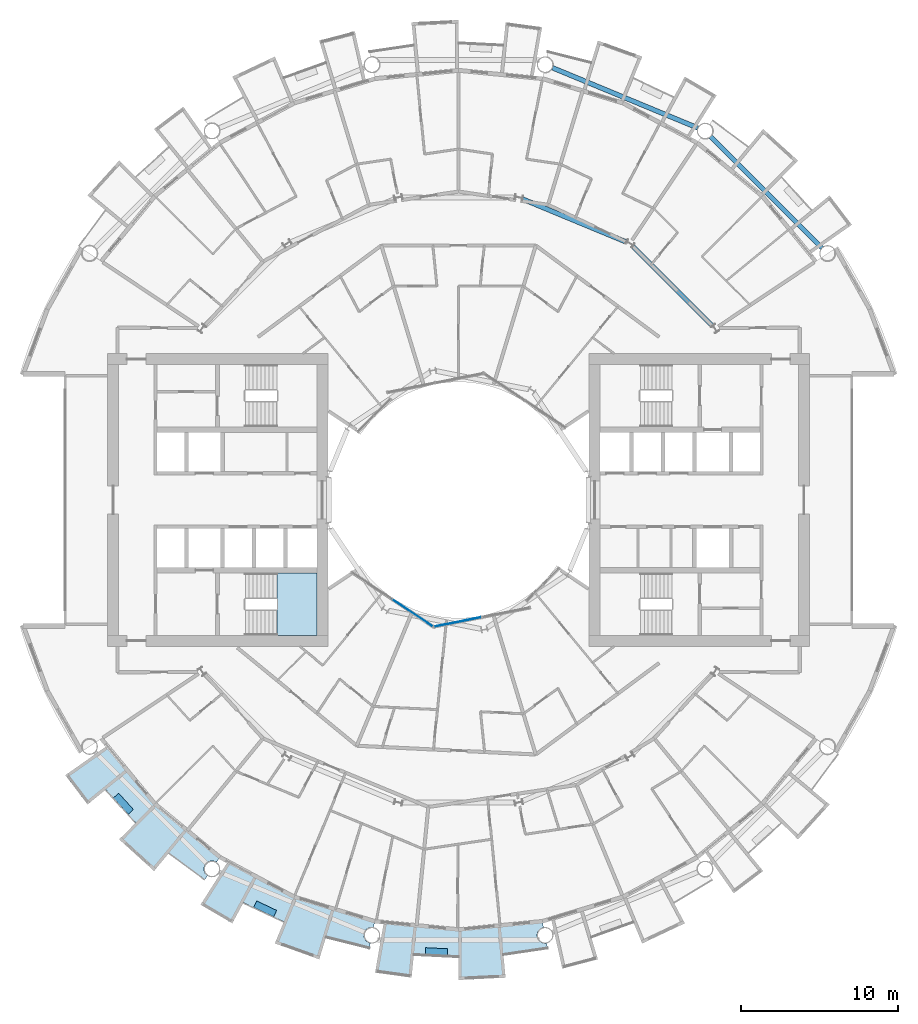
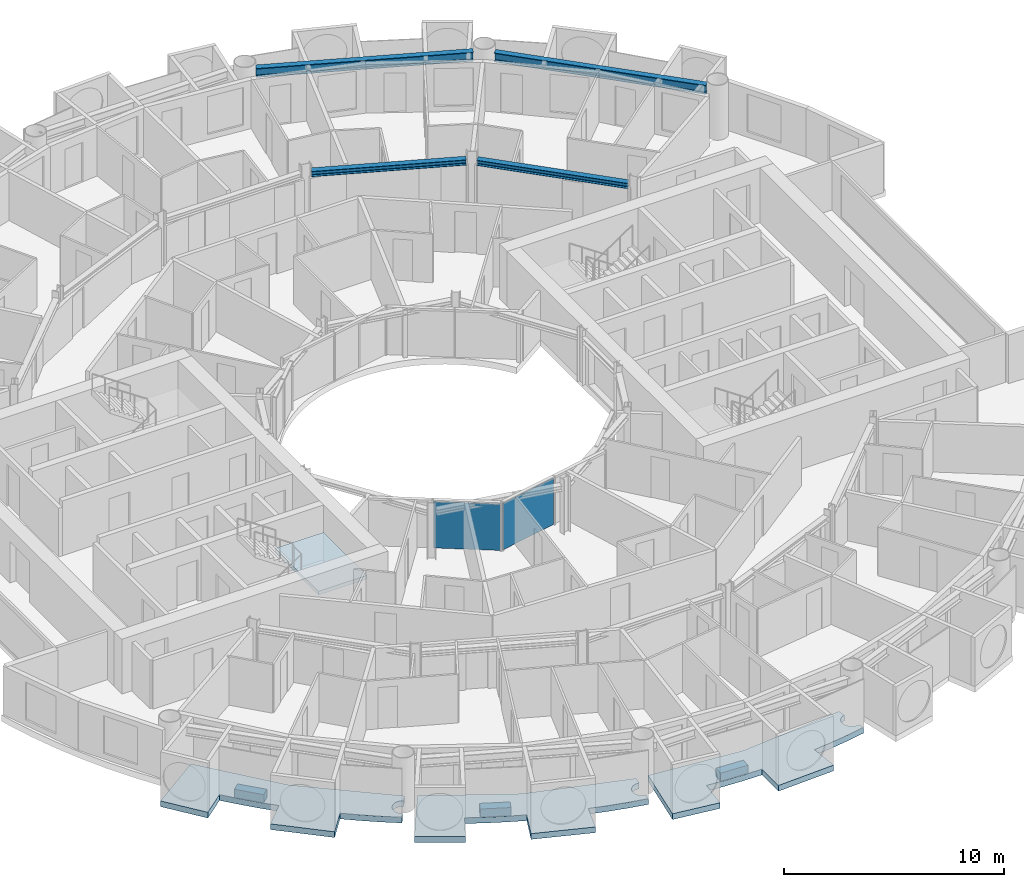
# One storey, part 9 of 26: 7 slabs, 4 beams, 2 plates, 3 elements without a shape of their own.
"""IFC4 building model written with IfcOpenShell, lengths in metres."""

import ifcopenshell
import ifcopenshell.guid

model = None  # the IFC model being written
_history = None  # IfcOwnerHistory: only IFC2X3 demands one
_inside = {}  # id of a spatial element -> (the spatial element, [elements in it])
_under = {}  # id of a project, library or spatial element -> (it, [spatial elements below it])
_declared = {}  # id of a project -> (the project, [libraries it declares])
_typed = {}  # id of a type object -> (the type object, [elements of that type])
_made_of = {}  # id of a material, layer set ... -> (it, [elements and type objects made of it])


def new_model(schema):
    """Start an empty IFC model of exactly this schema.

    Asked for "IFC4X3", IfcOpenShell would pick the latest addendum, in which some entities
    have other attributes; the version numbers below select the first issue.
    IFC2X3 requires an IfcOwnerHistory on every rooted entity: one is made here for all.
    """
    global model, _history
    if schema == "IFC4X3":
        model = ifcopenshell.file(schema_version=(4, 3, 0, 0))
    else:
        model = ifcopenshell.file(schema=schema)
    _inside.clear()
    _under.clear()
    _declared.clear()
    _typed.clear()
    _made_of.clear()
    _history = None
    if model.schema == "IFC2X3":
        org = make("IfcOrganization", Name="unknown")
        user = make(
            "IfcPersonAndOrganization",
            ThePerson=make("IfcPerson", FamilyName="unknown"),
            TheOrganization=org,
        )
        app = make(
            "IfcApplication",
            ApplicationDeveloper=org,
            Version="unknown",
            ApplicationFullName="unknown",
            ApplicationIdentifier="unknown",
        )
        _history = make(
            "IfcOwnerHistory",
            OwningUser=user,
            OwningApplication=app,
            ChangeAction="ADDED",
            CreationDate=0,
        )
    return model


def make(cls, **values):
    """One entity of the class cls with the attributes given. An attribute that is None is left unset."""
    return model.create_entity(
        cls, **{name: value for name, value in values.items() if value is not None}
    )


def rooted(cls, **values):
    """An entity with a GlobalId (a new one), such as an element, a storey or a relation."""
    return make(cls, GlobalId=ifcopenshell.guid.new(), OwnerHistory=_history, **values)


def si_unit(unit_type, name, prefix=None):
    """IfcSIUnit, for example si_unit("LENGTHUNIT", "METRE", prefix="MILLI")."""
    return make("IfcSIUnit", UnitType=unit_type, Prefix=prefix, Name=name)


def assignment(units):
    """IfcUnitAssignment: the units of a project."""
    return None if units is None else make("IfcUnitAssignment", Units=units)


def point(xyz):
    """IfcCartesianPoint."""
    return None if xyz is None else make("IfcCartesianPoint", Coordinates=xyz)


def direction(xyz):
    """IfcDirection."""
    return None if xyz is None else make("IfcDirection", DirectionRatios=xyz)


def frame(location, z_axis=None, x_axis=None):
    """IfcAxis2Placement3D, a coordinate frame: its origin and axes. An axis left out is left unset."""
    return make(
        "IfcAxis2Placement3D",
        Location=point(location),
        Axis=direction(z_axis),
        RefDirection=direction(x_axis),
    )


def frame_2d(location, x_axis=None):
    """IfcAxis2Placement2D, a coordinate frame in the plane: its origin and x axis."""
    return make(
        "IfcAxis2Placement2D", Location=point(location), RefDirection=direction(x_axis)
    )


def origin():
    """The frame at (0, 0, 0) with its axes left unset."""
    return frame((0.0, 0.0, 0.0))


def origin_2d():
    """The frame at (0, 0) in the plane with its x axis left unset."""
    return frame_2d((0.0, 0.0))


def place(relative_to, where):
    """IfcLocalPlacement: puts the frame where relative to a parent placement (None: the world)."""
    return make(
        "IfcLocalPlacement", PlacementRelTo=relative_to, RelativePlacement=where
    )


def context(
    kind, dimensions, precision=None, world=None, true_north=None, identifier=None
):
    """IfcGeometricRepresentationContext, for example the 3D "Model" context."""
    return make(
        "IfcGeometricRepresentationContext",
        ContextIdentifier=identifier,
        ContextType=kind,
        CoordinateSpaceDimension=dimensions,
        Precision=precision,
        WorldCoordinateSystem=world,
        TrueNorth=true_north,
    )


def subcontext(parent, identifier, kind, view, scale=None):
    """IfcGeometricRepresentationSubContext, for example "Body" below "Model"."""
    return make(
        "IfcGeometricRepresentationSubContext",
        ContextIdentifier=identifier,
        ContextType=kind,
        ParentContext=parent,
        TargetScale=scale,
        TargetView=view,
    )


def project(units=None, contexts=None):
    """IfcProject with its units and contexts."""
    return rooted(
        "IfcProject",
        Name="project",
        RepresentationContexts=contexts,
        UnitsInContext=assignment(units),
    )


def spatial(cls, under=None, at=None, **own):
    """A site, building, storey or space (cls), placed at a placement, below another one or the project."""
    s = rooted(cls, ObjectPlacement=at, **own)
    if under is not None:
        _under.setdefault(under.id(), (under, []))[1].append(s)
    return s


def polyline(points):
    """IfcPolyline through the points."""
    return make("IfcPolyline", Points=[point(p) for p in points])


def profile(cls, at=None, kind="AREA", **sizes):
    """A parametric profile (cls). Its sizes go by their IFC names, for example OverallWidth=200.0."""
    return make(cls, ProfileType=kind, Position=at, **sizes)


def rectangle(**sizes):
    """IfcRectangleProfileDef."""
    return profile("IfcRectangleProfileDef", **sizes)


def i_section(**sizes):
    """IfcIShapeProfileDef."""
    return profile("IfcIShapeProfileDef", **sizes)


def outline(outer, holes=None, kind="AREA"):
    """IfcArbitraryClosedProfileDef: a profile drawn as a closed curve; with holes, ...WithVoids."""
    if holes is None:
        return make("IfcArbitraryClosedProfileDef", ProfileType=kind, OuterCurve=outer)
    return make(
        "IfcArbitraryProfileDefWithVoids",
        ProfileType=kind,
        OuterCurve=outer,
        InnerCurves=holes,
    )


def extrude(swept, where, along, depth):
    """IfcExtrudedAreaSolid: the profile swept, set in the frame where, extruded along a direction by depth."""
    return make(
        "IfcExtrudedAreaSolid",
        SweptArea=swept,
        Position=where,
        ExtrudedDirection=direction(along),
        Depth=depth,
    )


def shape(context_of_items, identifier, shape_type, items):
    """IfcShapeRepresentation: the items that make up one representation, for example the "Body"."""
    return make(
        "IfcShapeRepresentation",
        ContextOfItems=context_of_items,
        RepresentationIdentifier=identifier,
        RepresentationType=shape_type,
        Items=items,
    )


def material(Name=None, Category=None):
    """IfcMaterial."""
    return make("IfcMaterial", Name=Name, Category=Category)


def layer(
    of_material, thickness, ventilated=None, Name=None, Category=None, Priority=None
):
    """IfcMaterialLayer: one layer of a wall or slab, of a material (None: an air gap)."""
    return make(
        "IfcMaterialLayer",
        Material=of_material,
        LayerThickness=thickness,
        IsVentilated=ventilated,
        Name=Name,
        Category=Category,
        Priority=Priority,
    )


def layer_set(layers, Name=None):
    """IfcMaterialLayerSet."""
    return make("IfcMaterialLayerSet", MaterialLayers=layers, LayerSetName=Name)


def material_profile(
    of_material, cross_section, Name=None, Category=None, Priority=None
):
    """IfcMaterialProfile: a cross section and its material."""
    return make(
        "IfcMaterialProfile",
        Name=Name,
        Material=of_material,
        Profile=cross_section,
        Priority=Priority,
        Category=Category,
    )


def profile_set(profiles, Name=None, composite=None):
    """IfcMaterialProfileSet."""
    return make(
        "IfcMaterialProfileSet",
        Name=Name,
        MaterialProfiles=profiles,
        CompositeProfile=composite,
    )


def made_of(thing, what):
    """Note that an element or type object is made of a material, layer set ...; save() writes the relation."""
    if what is not None:
        _made_of.setdefault(what.id(), (what, []))[1].append(thing)
    return thing


def type_object(cls, material=None, **own):
    """A type object (cls), such as IfcWallType, which elements share."""
    return made_of(rooted(cls, **own), material)


def element(
    cls,
    number,
    at=None,
    inside=None,
    cuts=None,
    type_object=None,
    material=None,
    context=None,
    identifier="Body",
    shape_type=None,
    held_by="IfcProductDefinitionShape",
    body=None,
    shapes=None,
    **own,
):
    """One element of the class cls, such as IfcWall. Its Tag is "e" and its number.

    at: its placement. inside: the storey or other place that contains it. cuts: it is an
    opening in that element (IfcRelVoidsElement). A single representation is given by context,
    identifier, shape_type and body (its items); several are given by shapes. held_by: the class
    of the entity that holds the representations. save() writes the other relations.
    """
    e = rooted(cls, Tag="e%d" % number, ObjectPlacement=at, **own)
    if body is not None:
        shapes = [shape(context, identifier, shape_type, body)]
    if shapes is not None:
        e.Representation = make(held_by, Representations=shapes)
    if inside is not None:
        _inside.setdefault(inside.id(), (inside, []))[1].append(e)
    if cuts is not None:
        rooted(
            "IfcRelVoidsElement", RelatingBuildingElement=cuts, RelatedOpeningElement=e
        )
    if type_object is not None:
        _typed.setdefault(type_object.id(), (type_object, []))[1].append(e)
    return made_of(e, material)


def aggregate(whole, parts):
    """IfcRelAggregates: a whole, such as a stair, and the parts it consists of."""
    return rooted("IfcRelAggregates", RelatingObject=whole, RelatedObjects=parts)


def save(model, path):
    """Write the relations noted so far, then the file.

    IfcRelAggregates (storeys below a building ...), IfcRelContainedInSpatialStructure (elements
    in a storey), IfcRelDefinesByType, IfcRelAssociatesMaterial and IfcRelDeclares: one each for
    every whole, place, type object, material and project.
    """
    for whole, parts in _under.values():
        aggregate(whole, parts)
    for where, things in _inside.values():
        rooted(
            "IfcRelContainedInSpatialStructure",
            RelatedElements=things,
            RelatingStructure=where,
        )
    for kind, things in _typed.values():
        rooted("IfcRelDefinesByType", RelatedObjects=things, RelatingType=kind)
    for what, things in _made_of.values():
        rooted("IfcRelAssociatesMaterial", RelatedObjects=things, RelatingMaterial=what)
    for by, libraries in _declared.values():
        rooted("IfcRelDeclares", RelatingContext=by, RelatedDefinitions=libraries)
    model.write(path)


model = new_model("IFC4")

# Units and contexts
model_context = context("Model", 3, precision=1e-05, world=origin(), true_north=direction((0.0, 1.0)))
body_context = subcontext(model_context, "Body", "Model", "MODEL_VIEW")
ifc_project = project(units=[si_unit("LENGTHUNIT", "METRE"), si_unit("AREAUNIT", "SQUARE_METRE"), si_unit("VOLUMEUNIT", "CUBIC_METRE"), si_unit("PLANEANGLEUNIT", "RADIAN"), si_unit("MASSUNIT", "GRAM", prefix="KILO")], contexts=[model_context])

# Site, building, storey
site_placement = place(None, origin())
site = spatial("IfcSite", under=ifc_project, at=site_placement, CompositionType="ELEMENT")
building_placement = place(site_placement, origin())
building = spatial("IfcBuilding", under=site, at=building_placement, Name="Maasbend Ring Residences", CompositionType="ELEMENT")
storey_placement = place(building_placement, frame((0.0, 0.0, 78.85009765625)))
storey = spatial("IfcBuildingStorey", under=building, at=storey_placement, Name="L22", CompositionType="ELEMENT", Elevation=78.85009765625)

# Beams
ifc_material_1 = material(Name="Steel S355J2", Category="steel")
ifc_material_profile_1 = material_profile(ifc_material_1, i_section(OverallWidth=0.300048828125, OverallDepth=0.300048828125, WebThickness=0.010986328125, FlangeThickness=0.01904296875, FilletRadius=0.027099609375, at=origin_2d()), Name="HEB 300")
ifc_profile_set_1 = profile_set([ifc_material_profile_1], Name="Steel S355J2")
beam_type_1 = type_object("IfcBeamType", Name="Corridor ring beam HEB 300", PredefinedType="BEAM", material=ifc_profile_set_1)
for number, where, z_axis, x_axis, name in (
    (1, (16.10791015625, 11.078125, 2.5498046875), (-0.707106781187, 0.707106781187, 0.0), (-0.707106781187, -0.707106781187, 0.0), "Corridor ring beam"),
    (2, (10.642333984375, 16.39892578125, 2.5498046875), (-0.923877113721, 0.382689271788, 0.0), (-0.382689271788, -0.923877113721, 0.0), "Corridor ring beam"),
):
    element("IfcBeam", number, at=place(storey_placement, frame(where, z_axis=z_axis, x_axis=x_axis)), inside=storey, type_object=beam_type_1, Name=name, PredefinedType="BEAM", context=body_context, shape_type="SweptSolid", body=[
        extrude(i_section(OverallWidth=0.300048828125, OverallDepth=0.300048828125, WebThickness=0.010986328125, FlangeThickness=0.01904296875, FilletRadius=0.027099609375, at=origin_2d()), origin(), (0.0, 0.0, 1.0), 7.11328125),
    ])
ifc_material_2 = material(Name="Steel S355J2", Category="steel")
ifc_material_profile_2 = material_profile(ifc_material_2, i_section(OverallWidth=0.300048828125, OverallDepth=0.5, WebThickness=0.014404296875, FlangeThickness=0.028076171875, FilletRadius=0.027099609375, at=origin_2d()), Name="HEB 500")
ifc_profile_set_2 = profile_set([ifc_material_profile_2], Name="Steel S355J2")
beam_type_2 = type_object("IfcBeamType", Name="Spandrel ring beam HEB 500", PredefinedType="SPANDREL", material=ifc_profile_set_2)
beam_1_placement = place(storey_placement, frame((23.088134765625, 16.0263671875, 2.449951171875), z_axis=(-0.707106781187, 0.707106781187, 0.0), x_axis=(-0.707106781187, -0.707106781187, 0.0)))
element("IfcBeam", 3, at=beam_1_placement, inside=storey, type_object=beam_type_2, Name="Spandrel ring beam", PredefinedType="SPANDREL", context=body_context, shape_type="SweptSolid", body=[
    extrude(i_section(OverallWidth=0.300048828125, OverallDepth=0.5, WebThickness=0.014404296875, FlangeThickness=0.028076171875, FilletRadius=0.027099609375, at=origin_2d()), origin(), (0.0, 0.0, 1.0), 9.98681640625),
])
beam_2_placement = place(storey_placement, frame((15.19775390625, 23.641845703125, 2.449951171875), z_axis=(-0.923886337442, 0.382667003395, 0.0), x_axis=(-0.382667003395, -0.923886337442, 0.0)))
element("IfcBeam", 4, at=beam_2_placement, inside=storey, type_object=beam_type_2, Name="Spandrel ring beam", PredefinedType="SPANDREL", context=body_context, shape_type="SweptSolid", body=[
    extrude(i_section(OverallWidth=0.300048828125, OverallDepth=0.5, WebThickness=0.014404296875, FlangeThickness=0.028076171875, FilletRadius=0.027099609375, at=origin_2d()), origin(), (0.0, 0.0, 1.0), 9.9873046875),
])

# Stair, slab
ifc_material_3 = material(Name="Concrete C40/50", Category="concrete")
stair_type = type_object("IfcStairType", Name="CORE STAIR 18 RISERS", PredefinedType="HALF_TURN_STAIR", material=ifc_material_3)
stair_placement = place(storey_placement, origin())
stair = element("IfcStair", 5, at=stair_placement, inside=storey, type_object=stair_type, Name="L22 Exit stair ST-W1", PredefinedType="HALF_TURN_STAIR")
ifc_material_4 = material(Name="Concrete C40/50", Category="concrete")
ifc_layer_1 = layer(ifc_material_4, 0.199951171875)
ifc_layer_set_1 = layer_set([ifc_layer_1], Name="Concrete C40/50")
slab_type_1 = type_object("IfcSlabType", Name="CORE STAIR LANDING 200", PredefinedType="LANDING", material=ifc_layer_set_1)
slab_1_placement = place(storey_placement, frame((0.0, 0.0, 1.324951171875)))
slab_1 = element("IfcSlab", 6, at=slab_1_placement, type_object=slab_type_1, Name="ST-W1 landing 1", PredefinedType="LANDING", context=body_context, shape_type="SweptSolid", body=[
    extrude(outline(polyline([(-11.550048828125, -8.60009765625), (-9.0, -8.60009765625), (-9.0, -4.64990234375), (-11.550048828125, -4.64990234375), (-11.550048828125, -8.60009765625)])), origin(), (0.0, 0.0, 1.0), 0.199951171875),
])
aggregate(stair, [slab_1])

# Curtain wall, plate
ifc_material_5 = material(Name="Aluminium and clear glass", Category="aluminium")
ifc_layer_2 = layer(ifc_material_5, 0.179931640625)
ifc_layer_set_2 = layer_set([ifc_layer_2], Name="CW-W")
curtain_wall_type = type_object("IfcCurtainWallType", Name="CW-W", PredefinedType="NOTDEFINED", material=ifc_layer_set_2)
curtain_wall_1_placement = place(storey_placement, origin())
curtain_wall_1 = element("IfcCurtainWall", 7, at=curtain_wall_1_placement, inside=storey, type_object=curtain_wall_type, Name="Well curtain wall S1", PredefinedType="NOTDEFINED")
ifc_material_6 = material(Name="Glass clear laminated", Category="glass")
ifc_layer_3 = layer(ifc_material_6, 0.031982421875)
ifc_layer_set_3 = layer_set([ifc_layer_3], Name="CWP-W")
plate_type = type_object("IfcPlateType", Name="CWP-W", PredefinedType="CURTAIN_PANEL", material=ifc_layer_set_3)
plate_1_placement = place(storey_placement, frame((-2.922119140625, -7.17578125, -0.000244140625), z_axis=(0.0, 0.0, 1.0), x_axis=(0.831469612303, -0.55557023302, 0.0)))
plate_1 = element("IfcPlate", 8, at=plate_1_placement, type_object=plate_type, Name="Glass panel well face", PredefinedType="CURTAIN_PANEL", context=body_context, shape_type="SweptSolid", body=[
    extrude(rectangle(XDim=3.053955078125, YDim=0.031982421875, at=origin_2d()), origin(), (0.0, 0.0, 1.0), 2.580078125),
])
aggregate(curtain_wall_1, [plate_1])

curtain_wall_2_placement = place(storey_placement, origin())
curtain_wall_2 = element("IfcCurtainWall", 9, at=curtain_wall_2_placement, inside=storey, type_object=curtain_wall_type, Name="Well curtain wall S2", PredefinedType="NOTDEFINED")
plate_2_placement = place(storey_placement, frame((-0.04638671875, -7.747802734375, -0.000244140625), z_axis=(0.0, 0.0, 1.0), x_axis=(0.980785280403, 0.195090322016, 0.0)))
plate_2 = element("IfcPlate", 10, at=plate_2_placement, type_object=plate_type, Name="Glass panel well face", PredefinedType="CURTAIN_PANEL", context=body_context, shape_type="SweptSolid", body=[
    extrude(rectangle(XDim=3.053955078125, YDim=0.031982421875, at=origin_2d()), origin(), (0.0, 0.0, 1.0), 2.580078125),
])
aggregate(curtain_wall_2, [plate_2])

# Slabs
ifc_material_7 = material(Name="Planting with climbing greenery")
ifc_layer_4 = layer(ifc_material_7, 0.449951171875)
ifc_layer_set_4 = layer_set([ifc_layer_4], Name="PLANTER-LG")
slab_type_2 = type_object("IfcSlabType", Name="PLANTER-LG", PredefinedType="USERDEFINED", material=ifc_layer_set_4)
slab_2_placement = place(storey_placement, frame((0.0, 0.0, -0.030029296875)))
element("IfcSlab", 11, at=slab_2_placement, inside=storey, type_object=slab_type_2, Name="Planter with climbing greenery 1", ObjectType="PLANTER", PredefinedType="USERDEFINED", context=body_context, shape_type="SweptSolid", body=[
    extrude(outline(polyline([(-21.931884765625, -18.93310546875), (-20.991943359375, -19.969970703125), (-20.657958984375, -19.66796875), (-21.597900390625, -18.631103515625), (-21.931884765625, -18.93310546875)])), origin(), (0.0, 0.0, 1.0), 0.449951171875),
])
slab_3_placement = place(storey_placement, frame((0.0, 0.0, -0.030029296875)))
element("IfcSlab", 12, at=slab_3_placement, inside=storey, type_object=slab_type_2, Name="Planter with climbing greenery 2", ObjectType="PLANTER", PredefinedType="USERDEFINED", context=body_context, shape_type="SweptSolid", body=[
    extrude(outline(polyline([(-13.01708984375, -25.885009765625), (-11.7509765625, -26.48291015625), (-11.55908203125, -26.076904296875), (-12.824951171875, -25.47802734375), (-13.01708984375, -25.885009765625)])), origin(), (0.0, 0.0, 1.0), 0.449951171875),
])
slab_4_placement = place(storey_placement, frame((0.0, 0.0, -0.030029296875)))
element("IfcSlab", 13, at=slab_4_placement, inside=storey, type_object=slab_type_2, Name="Planter with climbing greenery 3", ObjectType="PLANTER", PredefinedType="USERDEFINED", context=body_context, shape_type="SweptSolid", body=[
    extrude(outline(polyline([(-2.1201171875, -28.89599609375), (-0.721923828125, -28.965087890625), (-0.699951171875, -28.514892578125), (-2.097900390625, -28.446044921875), (-2.1201171875, -28.89599609375)])), origin(), (0.0, 0.0, 1.0), 0.449951171875),
])
ifc_material_8 = material(Name="Concrete C40/50", Category="concrete")
ifc_layer_5 = layer(ifc_material_8, 0.199951171875)
ifc_layer_set_5 = layer_set([ifc_layer_5], Name="Concrete C40/50")
slab_type_3 = type_object("IfcSlabType", Name="SL-LOGGIA", PredefinedType="FLOOR", material=ifc_layer_set_5)
slab_5_placement = place(storey_placement, frame((0.0, 0.0, -0.35009765625)))
element("IfcSlab", 14, at=slab_5_placement, inside=storey, type_object=slab_type_3, Name="Loggia floor 2", PredefinedType="FLOOR", context=body_context, shape_type="SweptSolid", body=[
    extrude(outline(polyline([(-12.806884765625, -23.9609375), (-10.447021484375, -25.221923828125), (-10.447021484375, -25.221923828125), (-10.447021484375, -25.221923828125), (-7.886962890625, -25.9990234375), (-5.325927734375, -26.77490234375), (-5.325927734375, -26.77490234375), (-5.325927734375, -26.77490234375), (-5.402099609375, -27.159912109375), (-5.4150390625, -27.157958984375), (-5.427001953125, -27.156005859375), (-5.43896484375, -27.154052734375), (-5.451904296875, -27.153076171875), (-5.464111328125, -27.15087890625), (-5.47705078125, -27.15087890625), (-5.489013671875, -27.14990234375), (-5.501953125, -27.14990234375), (-5.513916015625, -27.14990234375), (-5.52587890625, -27.15087890625), (-5.5390625, -27.15087890625), (-5.551025390625, -27.153076171875), (-5.56396484375, -27.154052734375), (-5.575927734375, -27.156005859375), (-5.587890625, -27.157958984375), (-5.60107421875, -27.159912109375), (-5.613037109375, -27.162109375), (-5.625, -27.1650390625), (-5.636962890625, -27.1689453125), (-5.64892578125, -27.172119140625), (-5.660888671875, -27.176025390625), (-5.673095703125, -27.179931640625), (-5.68408203125, -27.18408203125), (-5.696044921875, -27.18896484375), (-5.70703125, -27.194091796875), (-5.718994140625, -27.198974609375), (-5.72998046875, -27.2041015625), (-5.740966796875, -27.2099609375), (-5.751953125, -27.216064453125), (-5.762939453125, -27.221923828125), (-5.77294921875, -27.22900390625), (-5.783935546875, -27.236083984375), (-5.7939453125, -27.242919921875), (-5.803955078125, -27.25), (-5.81396484375, -27.258056640625), (-5.823974609375, -27.264892578125), (-5.8330078125, -27.27294921875), (-5.843017578125, -27.281982421875), (-5.85205078125, -27.2900390625), (-5.861083984375, -27.299072265625), (-5.868896484375, -27.30810546875), (-5.8779296875, -27.31689453125), (-5.885986328125, -27.325927734375), (-5.89404296875, -27.3359375), (-5.902099609375, -27.345947265625), (-5.909912109375, -27.35498046875), (-5.9169921875, -27.365966796875), (-5.924072265625, -27.3759765625), (-5.930908203125, -27.385986328125), (-5.93701171875, -27.39697265625), (-5.944091796875, -27.407958984375), (-5.949951171875, -27.4189453125), (-5.955078125, -27.429931640625), (-5.9609375, -27.44091796875), (-5.966064453125, -27.451904296875), (-5.970947265625, -27.464111328125), (-5.97509765625, -27.47509765625), (-5.97998046875, -27.487060546875), (-5.98388671875, -27.4990234375), (-5.988037109375, -27.510986328125), (-5.990966796875, -27.52294921875), (-5.993896484375, -27.534912109375), (-5.9970703125, -27.547119140625), (-6.0, -27.55908203125), (-6.001953125, -27.571044921875), (-6.00390625, -27.583984375), (-6.006103515625, -27.595947265625), (-6.007080078125, -27.60791015625), (-6.008056640625, -27.62109375), (-6.009033203125, -27.633056640625), (-6.009033203125, -27.64599609375), (-6.010009765625, -27.657958984375), (-6.009033203125, -27.6708984375), (-6.009033203125, -27.68310546875), (-6.008056640625, -27.695068359375), (-6.007080078125, -27.7080078125), (-6.006103515625, -27.719970703125), (-6.00390625, -27.73291015625), (-6.001953125, -27.7451171875), (-6.0, -27.757080078125), (-5.9970703125, -27.76904296875), (-5.993896484375, -27.781982421875), (-5.990966796875, -27.7939453125), (-5.988037109375, -27.805908203125), (-5.98388671875, -27.81689453125), (-5.97998046875, -27.8291015625), (-5.97509765625, -27.841064453125), (-5.970947265625, -27.85302734375), (-5.966064453125, -27.864013671875), (-5.9609375, -27.875), (-5.955078125, -27.886962890625), (-5.949951171875, -27.89794921875), (-5.944091796875, -27.907958984375), (-5.93701171875, -27.9189453125), (-5.930908203125, -27.929931640625), (-5.924072265625, -27.93994140625), (-5.9169921875, -27.950927734375), (-5.909912109375, -27.9609375), (-5.902099609375, -27.970947265625), (-5.89404296875, -27.97998046875), (-5.885986328125, -27.989990234375), (-5.8779296875, -27.9990234375), (-5.868896484375, -28.008056640625), (-5.861083984375, -28.01708984375), (-5.85205078125, -28.02587890625), (-5.843017578125, -28.034912109375), (-5.8330078125, -28.04296875), (-5.823974609375, -28.051025390625), (-5.81396484375, -28.05908203125), (-5.803955078125, -28.06591796875), (-5.7939453125, -28.072998046875), (-5.783935546875, -28.080078125), (-5.77294921875, -28.0869140625), (-5.762939453125, -28.093994140625), (-5.751953125, -28.10009765625), (-5.740966796875, -28.10595703125), (-5.72998046875, -28.112060546875), (-5.718994140625, -28.116943359375), (-5.70703125, -28.123046875), (-5.696044921875, -28.126953125), (-5.68408203125, -28.132080078125), (-5.673095703125, -28.135986328125), (-5.660888671875, -28.139892578125), (-5.64892578125, -28.14404296875), (-5.636962890625, -28.14794921875), (-5.625, -28.15087890625), (-5.613037109375, -28.154052734375), (-5.60107421875, -28.156005859375), (-5.657958984375, -28.443115234375), (-5.657958984375, -28.443115234375), (-5.657958984375, -28.443115234375), (-6.5849609375, -28.241943359375), (-6.5849609375, -28.241943359375), (-7.506103515625, -28.011962890625), (-7.506103515625, -28.011962890625), (-8.41796875, -27.7509765625), (-8.41796875, -27.7509765625), (-8.41796875, -27.7509765625), (-8.41796875, -27.7509765625), (-8.41796875, -27.7509765625), (-8.41796875, -27.7509765625), (-8.41796875, -27.7509765625), (-8.41796875, -27.7509765625), (-8.41796875, -27.7509765625), (-8.41796875, -27.7509765625), (-8.41796875, -27.751953125), (-8.41796875, -27.751953125), (-8.41796875, -27.751953125), (-8.41796875, -27.751953125), (-8.41796875, -27.751953125), (-8.41796875, -27.751953125), (-8.41796875, -27.751953125), (-8.85400390625, -29.18701171875), (-8.85400390625, -29.18701171875), (-8.85400390625, -29.18701171875), (-11.672119140625, -28.177978515625), (-11.672119140625, -28.177978515625), (-11.672119140625, -28.177978515625), (-11.097900390625, -26.79296875), (-11.097900390625, -26.79296875), (-11.097900390625, -26.79296875), (-11.097900390625, -26.79296875), (-11.097900390625, -26.79296875), (-11.097900390625, -26.79296875), (-11.097900390625, -26.79296875), (-11.097900390625, -26.79296875), (-11.097900390625, -26.79296875), (-11.097900390625, -26.79296875), (-11.097900390625, -26.7919921875), (-11.097900390625, -26.7919921875), (-11.097900390625, -26.7919921875), (-11.097900390625, -26.7919921875), (-11.097900390625, -26.7919921875), (-11.097900390625, -26.7919921875), (-11.097900390625, -26.7919921875), (-11.968994140625, -26.4150390625), (-11.968994140625, -26.4150390625), (-12.825927734375, -26.009033203125), (-12.825927734375, -26.009033203125), (-13.669921875, -25.575927734375), (-13.669921875, -25.575927734375), (-13.669921875, -25.575927734375), (-13.669921875, -25.575927734375), (-13.669921875, -25.575927734375), (-13.669921875, -25.575927734375), (-13.669921875, -25.575927734375), (-13.669921875, -25.575927734375), (-13.669921875, -25.575927734375), (-13.669921875, -25.575927734375), (-13.6708984375, -25.575927734375), (-13.6708984375, -25.575927734375), (-13.6708984375, -25.575927734375), (-13.6708984375, -25.575927734375), (-13.6708984375, -25.575927734375), (-13.6708984375, -25.575927734375), (-13.6708984375, -25.575927734375), (-14.3779296875, -26.89892578125), (-14.3779296875, -26.89892578125), (-14.3779296875, -26.89892578125), (-16.39404296875, -25.718994140625), (-16.39404296875, -25.718994140625), (-16.39404296875, -25.718994140625), (-14.64599609375, -22.97705078125), (-14.64599609375, -22.97705078125), (-14.64599609375, -22.97705078125), (-12.806884765625, -23.9609375)])), origin(), (0.0, 0.0, 1.0), 0.320068359375),
])
slab_6_placement = place(storey_placement, frame((0.0, 0.0, -0.35009765625)))
element("IfcSlab", 15, at=slab_6_placement, inside=storey, type_object=slab_type_3, Name="Loggia floor 3", PredefinedType="FLOOR", context=body_context, shape_type="SweptSolid", body=[
    extrude(outline(polyline([(-2.6630859375, -27.0380859375), (0.0, -27.300048828125), (0.0, -27.300048828125), (0.0, -27.300048828125), (2.6630859375, -27.0380859375), (5.325927734375, -26.77490234375), (5.325927734375, -26.77490234375), (5.325927734375, -26.77490234375), (5.402099609375, -27.159912109375), (5.402099609375, -27.159912109375), (5.389892578125, -27.162109375), (5.3779296875, -27.1650390625), (5.365966796875, -27.1689453125), (5.35400390625, -27.172119140625), (5.342041015625, -27.176025390625), (5.330078125, -27.179931640625), (5.319091796875, -27.18408203125), (5.306884765625, -27.18896484375), (5.2958984375, -27.194091796875), (5.283935546875, -27.198974609375), (5.27294921875, -27.2041015625), (5.261962890625, -27.2099609375), (5.2509765625, -27.216064453125), (5.239990234375, -27.221923828125), (5.22998046875, -27.22900390625), (5.218994140625, -27.236083984375), (5.208984375, -27.242919921875), (5.198974609375, -27.25), (5.18896484375, -27.258056640625), (5.178955078125, -27.264892578125), (5.169921875, -27.27294921875), (5.159912109375, -27.281982421875), (5.15087890625, -27.2900390625), (5.14208984375, -27.299072265625), (5.134033203125, -27.30810546875), (5.125, -27.31689453125), (5.116943359375, -27.325927734375), (5.10888671875, -27.3359375), (5.10107421875, -27.345947265625), (5.093017578125, -27.35498046875), (5.0859375, -27.365966796875), (5.0791015625, -27.3759765625), (5.072021484375, -27.385986328125), (5.06591796875, -27.39697265625), (5.05908203125, -27.407958984375), (5.052978515625, -27.4189453125), (5.048095703125, -27.429931640625), (5.0419921875, -27.44091796875), (5.037109375, -27.451904296875), (5.031982421875, -27.464111328125), (5.028076171875, -27.47509765625), (5.02294921875, -27.487060546875), (5.01904296875, -27.4990234375), (5.014892578125, -27.510986328125), (5.011962890625, -27.52294921875), (5.009033203125, -27.534912109375), (5.006103515625, -27.547119140625), (5.0029296875, -27.55908203125), (5.0009765625, -27.571044921875), (4.9990234375, -27.583984375), (4.9970703125, -27.595947265625), (4.99609375, -27.60791015625), (4.9951171875, -27.62109375), (4.993896484375, -27.633056640625), (4.993896484375, -27.64599609375), (4.993896484375, -27.657958984375), (4.993896484375, -27.6708984375), (4.993896484375, -27.68310546875), (4.9951171875, -27.695068359375), (4.99609375, -27.7080078125), (4.9970703125, -27.719970703125), (4.9990234375, -27.73291015625), (5.0009765625, -27.7451171875), (5.0029296875, -27.757080078125), (5.006103515625, -27.76904296875), (5.009033203125, -27.781982421875), (5.011962890625, -27.7939453125), (5.014892578125, -27.805908203125), (5.01904296875, -27.81689453125), (5.02294921875, -27.8291015625), (5.028076171875, -27.841064453125), (5.031982421875, -27.85302734375), (5.037109375, -27.864013671875), (5.0419921875, -27.875), (5.048095703125, -27.886962890625), (5.052978515625, -27.89794921875), (5.05908203125, -27.907958984375), (5.06591796875, -27.9189453125), (5.072021484375, -27.929931640625), (5.0791015625, -27.93994140625), (5.0859375, -27.950927734375), (5.093017578125, -27.9609375), (5.10107421875, -27.970947265625), (5.10888671875, -27.97998046875), (5.116943359375, -27.989990234375), (5.125, -27.9990234375), (5.134033203125, -28.008056640625), (5.14208984375, -28.01708984375), (5.15087890625, -28.02587890625), (5.159912109375, -28.034912109375), (5.169921875, -28.04296875), (5.178955078125, -28.051025390625), (5.18896484375, -28.05908203125), (5.198974609375, -28.06591796875), (5.208984375, -28.072998046875), (5.218994140625, -28.080078125), (5.22998046875, -28.0869140625), (5.239990234375, -28.093994140625), (5.2509765625, -28.10009765625), (5.261962890625, -28.10595703125), (5.27294921875, -28.112060546875), (5.283935546875, -28.116943359375), (5.2958984375, -28.123046875), (5.306884765625, -28.126953125), (5.319091796875, -28.132080078125), (5.330078125, -28.135986328125), (5.342041015625, -28.139892578125), (5.35400390625, -28.14404296875), (5.365966796875, -28.14794921875), (5.3779296875, -28.15087890625), (5.389892578125, -28.154052734375), (5.402099609375, -28.156005859375), (5.4150390625, -28.158935546875), (5.427001953125, -28.160888671875), (5.43896484375, -28.162109375), (5.451904296875, -28.1640625), (5.464111328125, -28.1650390625), (5.47705078125, -28.1650390625), (5.489013671875, -28.166015625), (5.501953125, -28.166015625), (5.513916015625, -28.166015625), (5.52587890625, -28.1650390625), (5.5390625, -28.1650390625), (5.551025390625, -28.1640625), (5.56396484375, -28.162109375), (5.575927734375, -28.160888671875), (5.587890625, -28.158935546875), (5.60107421875, -28.156005859375), (5.60107421875, -28.156005859375), (5.657958984375, -28.443115234375), (5.657958984375, -28.443115234375), (5.657958984375, -28.443115234375), (4.72412109375, -28.613037109375), (4.72412109375, -28.613037109375), (3.784912109375, -28.751953125), (3.784912109375, -28.751953125), (2.843017578125, -28.860107421875), (2.843017578125, -28.860107421875), (2.843017578125, -28.860107421875), (2.843017578125, -28.860107421875), (2.843017578125, -28.860107421875), (2.843017578125, -28.860107421875), (2.843017578125, -28.860107421875), (2.843017578125, -28.860107421875), (2.843017578125, -28.860107421875), (2.843017578125, -28.861083984375), (2.843017578125, -28.861083984375), (2.843017578125, -28.861083984375), (2.843017578125, -28.861083984375), (2.843017578125, -28.861083984375), (2.843017578125, -28.861083984375), (2.843017578125, -28.861083984375), (2.843017578125, -28.861083984375), (2.989990234375, -30.35302734375), (2.989990234375, -30.35302734375), (2.989990234375, -30.35302734375), (0.0, -30.5), (0.0, -30.5), (0.0, -30.5), (0.0, -29.0), (0.0, -29.0), (0.0, -29.0), (0.0, -29.0), (0.0, -29.0), (0.0, -29.0), (0.0, -29.0), (0.0, -29.0), (0.0, -29.0), (0.0, -29.0), (0.0, -29.0), (0.0, -29.0), (0.0, -29.0), (0.0, -29.0), (0.0, -29.0), (0.0, -29.0), (0.0, -29.0), (-0.948974609375, -28.98388671875), (-0.948974609375, -28.98388671875), (-1.89697265625, -28.93798828125), (-1.89697265625, -28.93798828125), (-2.842041015625, -28.860107421875), (-2.842041015625, -28.860107421875), (-2.842041015625, -28.860107421875), (-2.842041015625, -28.860107421875), (-2.842041015625, -28.860107421875), (-2.842041015625, -28.860107421875), (-2.842041015625, -28.860107421875), (-2.842041015625, -28.860107421875), (-2.842041015625, -28.861083984375), (-2.842041015625, -28.861083984375), (-2.842041015625, -28.861083984375), (-2.842041015625, -28.861083984375), (-2.842041015625, -28.861083984375), (-2.843017578125, -28.861083984375), (-2.843017578125, -28.861083984375), (-2.843017578125, -28.861083984375), (-2.843017578125, -28.861083984375), (-2.989990234375, -30.35302734375), (-2.989990234375, -30.35302734375), (-2.989990234375, -30.35302734375), (-5.303955078125, -30.034912109375), (-5.303955078125, -30.034912109375), (-5.303955078125, -30.034912109375), (-4.739013671875, -26.8330078125), (-4.739013671875, -26.8330078125), (-4.739013671875, -26.8330078125), (-2.6630859375, -27.0380859375)])), origin(), (0.0, 0.0, 1.0), 0.320068359375),
])
slab_7_placement = place(storey_placement, frame((0.0, 0.0, -0.35009765625)))
element("IfcSlab", 16, at=slab_7_placement, inside=storey, type_object=slab_type_3, Name="Loggia floor 5", PredefinedType="FLOOR", context=body_context, shape_type="SweptSolid", body=[
    extrude(outline(polyline([(-21.001953125, -17.236083984375), (-19.303955078125, -19.303955078125), (-19.303955078125, -19.303955078125), (-19.303955078125, -19.303955078125), (-17.236083984375, -21.001953125), (-15.1669921875, -22.698974609375), (-15.1669921875, -22.698974609375), (-15.1669921875, -22.698974609375), (-15.385009765625, -23.02490234375), (-15.385009765625, -23.02490234375), (-15.39501953125, -23.01806640625), (-15.406005859375, -23.011962890625), (-15.4169921875, -23.0048828125), (-15.427978515625, -22.9990234375), (-15.43896484375, -22.993896484375), (-15.449951171875, -22.988037109375), (-15.4609375, -22.98291015625), (-15.472900390625, -22.97802734375), (-15.48388671875, -22.972900390625), (-15.49609375, -22.968994140625), (-15.508056640625, -22.965087890625), (-15.52001953125, -22.9609375), (-15.531982421875, -22.9580078125), (-15.5439453125, -22.955078125), (-15.555908203125, -22.951904296875), (-15.568115234375, -22.948974609375), (-15.580078125, -22.947021484375), (-15.593017578125, -22.945068359375), (-15.60498046875, -22.943115234375), (-15.616943359375, -22.94189453125), (-15.6298828125, -22.94091796875), (-15.64208984375, -22.93994140625), (-15.655029296875, -22.93994140625), (-15.6669921875, -22.93896484375), (-15.679931640625, -22.93994140625), (-15.69189453125, -22.93994140625), (-15.7041015625, -22.94091796875), (-15.717041015625, -22.94189453125), (-15.72900390625, -22.943115234375), (-15.741943359375, -22.945068359375), (-15.75390625, -22.947021484375), (-15.76611328125, -22.948974609375), (-15.778076171875, -22.951904296875), (-15.791015625, -22.955078125), (-15.802978515625, -22.9580078125), (-15.81494140625, -22.9609375), (-15.825927734375, -22.965087890625), (-15.837890625, -22.968994140625), (-15.85009765625, -22.972900390625), (-15.862060546875, -22.97802734375), (-15.873046875, -22.98291015625), (-15.884033203125, -22.988037109375), (-15.89599609375, -22.993896484375), (-15.906982421875, -22.9990234375), (-15.9169921875, -23.0048828125), (-15.927978515625, -23.011962890625), (-15.93896484375, -23.01806640625), (-15.948974609375, -23.02490234375), (-15.9599609375, -23.031982421875), (-15.969970703125, -23.0390625), (-15.97998046875, -23.047119140625), (-15.989013671875, -23.054931640625), (-15.9990234375, -23.06298828125), (-16.008056640625, -23.071044921875), (-16.01708984375, -23.0791015625), (-16.02587890625, -23.087890625), (-16.034912109375, -23.096923828125), (-16.0439453125, -23.10595703125), (-16.052001953125, -23.115966796875), (-16.06005859375, -23.125), (-16.068115234375, -23.135009765625), (-16.074951171875, -23.14501953125), (-16.08203125, -23.155029296875), (-16.089111328125, -23.1650390625), (-16.095947265625, -23.176025390625), (-16.10302734375, -23.18603515625), (-16.10888671875, -23.197021484375), (-16.114990234375, -23.2080078125), (-16.12109375, -23.218994140625), (-16.1259765625, -23.22998046875), (-16.132080078125, -23.241943359375), (-16.135986328125, -23.2529296875), (-16.14111328125, -23.264892578125), (-16.14501953125, -23.27587890625), (-16.14892578125, -23.2880859375), (-16.153076171875, -23.300048828125), (-16.156982421875, -23.31201171875), (-16.159912109375, -23.323974609375), (-16.1630859375, -23.3359375), (-16.1650390625, -23.347900390625), (-16.16796875, -23.361083984375), (-16.169921875, -23.373046875), (-16.1708984375, -23.385009765625), (-16.173095703125, -23.39794921875), (-16.174072265625, -23.409912109375), (-16.174072265625, -23.422119140625), (-16.175048828125, -23.43505859375), (-16.175048828125, -23.447021484375), (-16.175048828125, -23.4599609375), (-16.174072265625, -23.471923828125), (-16.174072265625, -23.485107421875), (-16.173095703125, -23.4970703125), (-16.1708984375, -23.510009765625), (-16.169921875, -23.52197265625), (-16.16796875, -23.533935546875), (-16.1650390625, -23.547119140625), (-16.1630859375, -23.55908203125), (-16.159912109375, -23.571044921875), (-16.156982421875, -23.5830078125), (-16.153076171875, -23.594970703125), (-16.14892578125, -23.60693359375), (-16.14501953125, -23.618896484375), (-16.14111328125, -23.6298828125), (-16.135986328125, -23.64208984375), (-16.132080078125, -23.653076171875), (-16.1259765625, -23.6650390625), (-16.12109375, -23.676025390625), (-16.114990234375, -23.68701171875), (-16.10888671875, -23.697998046875), (-16.10302734375, -23.708984375), (-16.095947265625, -23.718994140625), (-16.089111328125, -23.72998046875), (-16.08203125, -23.739990234375), (-16.074951171875, -23.75), (-16.068115234375, -23.760009765625), (-16.06005859375, -23.77001953125), (-16.052001953125, -23.779052734375), (-16.0439453125, -23.7890625), (-16.034912109375, -23.798095703125), (-16.02587890625, -23.806884765625), (-16.01708984375, -23.81494140625), (-16.008056640625, -23.823974609375), (-15.9990234375, -23.83203125), (-15.989013671875, -23.840087890625), (-15.97998046875, -23.847900390625), (-15.969970703125, -23.85498046875), (-15.9599609375, -23.863037109375), (-15.948974609375, -23.8701171875), (-15.948974609375, -23.8701171875), (-16.112060546875, -24.113037109375), (-16.112060546875, -24.113037109375), (-16.112060546875, -24.113037109375), (-16.89208984375, -23.572998046875), (-16.89208984375, -23.572998046875), (-17.654052734375, -23.007080078125), (-17.654052734375, -23.007080078125), (-18.39697265625, -22.41796875), (-18.39697265625, -22.41796875), (-18.39697265625, -22.41796875), (-18.39697265625, -22.41796875), (-18.39697265625, -22.41796875), (-18.39697265625, -22.41796875), (-18.39697265625, -22.41796875), (-18.39697265625, -22.41796875), (-18.39697265625, -22.41796875), (-18.39697265625, -22.41796875), (-18.39697265625, -22.41796875), (-18.39794921875, -22.41796875), (-18.39794921875, -22.41796875), (-18.39794921875, -22.41796875), (-18.39794921875, -22.41796875), (-18.39794921875, -22.41796875), (-18.39794921875, -22.41796875), (-19.34912109375, -23.576904296875), (-19.34912109375, -23.576904296875), (-19.34912109375, -23.576904296875), (-21.56689453125, -21.56689453125), (-21.56689453125, -21.56689453125), (-21.56689453125, -21.56689453125), (-20.506103515625, -20.506103515625), (-20.506103515625, -20.506103515625), (-20.506103515625, -20.506103515625), (-20.506103515625, -20.506103515625), (-20.506103515625, -20.506103515625), (-20.506103515625, -20.506103515625), (-20.506103515625, -20.506103515625), (-20.506103515625, -20.506103515625), (-20.506103515625, -20.506103515625), (-20.506103515625, -20.506103515625), (-20.506103515625, -20.506103515625), (-20.506103515625, -20.506103515625), (-20.506103515625, -20.506103515625), (-20.506103515625, -20.506103515625), (-20.506103515625, -20.506103515625), (-20.506103515625, -20.506103515625), (-20.506103515625, -20.506103515625), (-21.166015625, -19.823974609375), (-21.166015625, -19.823974609375), (-21.802978515625, -19.12109375), (-21.802978515625, -19.12109375), (-22.4169921875, -18.39794921875), (-22.4169921875, -18.39794921875), (-22.4169921875, -18.39794921875), (-22.4169921875, -18.39794921875), (-22.4169921875, -18.39794921875), (-22.4169921875, -18.39794921875), (-22.4169921875, -18.39794921875), (-22.4169921875, -18.39794921875), (-22.4169921875, -18.39794921875), (-22.4169921875, -18.39794921875), (-22.4169921875, -18.39794921875), (-22.4169921875, -18.39794921875), (-22.41796875, -18.39794921875), (-22.41796875, -18.39794921875), (-22.41796875, -18.39794921875), (-22.41796875, -18.39794921875), (-22.41796875, -18.39794921875), (-23.576904296875, -19.34912109375), (-23.576904296875, -19.34912109375), (-23.576904296875, -19.34912109375), (-24.989013671875, -17.488037109375), (-24.989013671875, -17.488037109375), (-24.989013671875, -17.488037109375), (-22.324951171875, -15.623046875), (-22.324951171875, -15.623046875), (-22.324951171875, -15.623046875), (-21.001953125, -17.236083984375)])), origin(), (0.0, 0.0, 1.0), 0.320068359375),
])

save(model, "model.ifc")
